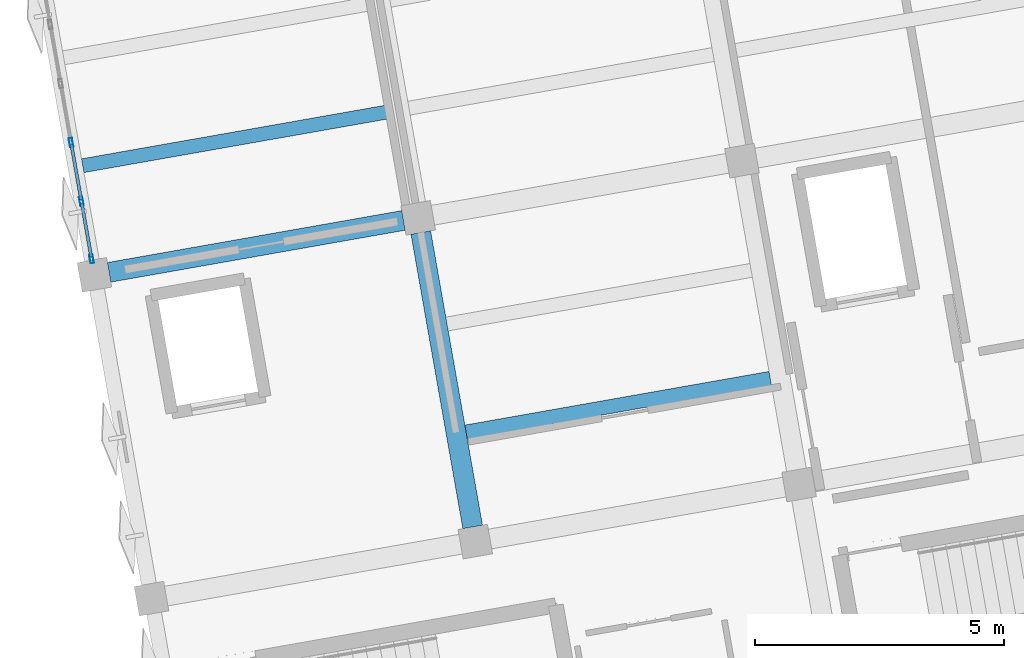
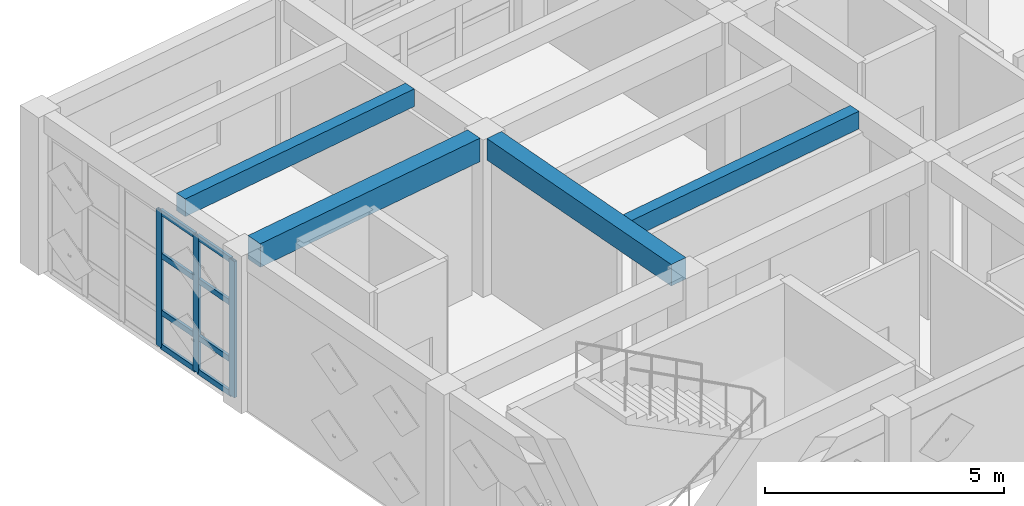
# One storey, part 2 of 18: 11 members, 4 beams, 1 element without a shape of its own.
"""IFC4 building model written with IfcOpenShell, lengths in metres."""

from ifc_helpers import new_model, si_unit, direction, frame, origin, origin_2d, place, context, subcontext, project, spatial, rectangle, hollow_rectangle, extrude, material, layer, layer_set, material_profile, profile_set, type_object, element, aggregate, save


model = new_model("IFC4")

# Units and contexts
model_context = context("Model", 3, precision=1e-05, world=origin(), true_north=direction((0.0, 1.0)))
body_context = subcontext(model_context, "Body", "Model", "MODEL_VIEW")
ifc_project = project(units=[si_unit("LENGTHUNIT", "METRE"), si_unit("AREAUNIT", "SQUARE_METRE"), si_unit("VOLUMEUNIT", "CUBIC_METRE"), si_unit("PLANEANGLEUNIT", "RADIAN"), si_unit("MASSUNIT", "GRAM", prefix="KILO")], contexts=[model_context])

# Site, building, storey
site_placement = place(None, origin())
site = spatial("IfcSite", under=ifc_project, at=site_placement, CompositionType="ELEMENT")
building_placement = place(site_placement, origin())
building = spatial("IfcBuilding", under=site, at=building_placement, Name="Kharisveld Research Institute", CompositionType="ELEMENT")
storey_placement = place(building_placement, frame((0.0, 0.0, 36.60009765625)))
storey = spatial("IfcBuildingStorey", under=building, at=storey_placement, Name="L08", CompositionType="ELEMENT", Elevation=36.60009765625)

# Beams
ifc_material_1 = material(Name="Concrete C40/50", Category="concrete")
ifc_material_profile_1 = material_profile(ifc_material_1, rectangle(XDim=0.39990234375, YDim=0.550048828125, at=origin_2d()))
ifc_profile_set_1 = profile_set([ifc_material_profile_1], Name="Concrete C40/50")
beam_type_1 = type_object("IfcBeamType", Name="BM_RC_400x550", PredefinedType="BEAM", material=ifc_profile_set_1)
beam_1_placement = place(storey_placement, frame((10.50146484375, 42.951171875, 3.744873046875), z_axis=(-0.173622845926, 0.984812219346, 0.0), x_axis=(-0.984812219346, -0.173622845926, 0.0)))
element("IfcBeam", 1, at=beam_1_placement, inside=storey, type_object=beam_type_1, Name="BM:V1:L08:V1_1", PredefinedType="BEAM", context=body_context, shape_type="SweptSolid", body=[
    extrude(rectangle(XDim=0.39990234375, YDim=0.550048828125, at=origin_2d()), origin(), (0.0, 0.0, 1.0), 6.0),
])
ifc_material_2 = material(Name="Concrete C40/50", Category="concrete")
ifc_material_profile_2 = material_profile(ifc_material_2, rectangle(XDim=0.39990234375, YDim=0.60009765625, at=origin_2d()))
ifc_profile_set_2 = profile_set([ifc_material_profile_2], Name="Concrete C40/50")
beam_type_2 = type_object("IfcBeamType", Name="BM_RC_400x600", PredefinedType="BEAM", material=ifc_profile_set_2)
beam_2_placement = place(storey_placement, frame((3.203369140625, 48.0615234375, 3.719970703125), z_axis=(0.984804034035, 0.173669267716, 0.0), x_axis=(-0.173669267716, 0.984804034035, 0.0)))
element("IfcBeam", 2, at=beam_2_placement, inside=storey, type_object=beam_type_2, Name="BM:V1:L08:U0_2", PredefinedType="BEAM", context=body_context, shape_type="SweptSolid", body=[
    extrude(rectangle(XDim=0.39990234375, YDim=0.60009765625, at=origin_2d()), origin(), (0.0, 0.0, 1.0), 5.999755859375),
])

# Curtain wall, members
ifc_material_3 = material(Name="Thermally Broken Aluminium Curtain Wall", Category="aluminium")
ifc_layer = layer(ifc_material_3, 0.159912109375)
ifc_layer_set = layer_set([ifc_layer], Name="CW_SYS_01")
curtain_wall_type = type_object("IfcCurtainWallType", Name="CW_SYS_01", PredefinedType="NOTDEFINED", material=ifc_layer_set)
curtain_wall_placement = place(storey_placement, origin())
curtain_wall = element("IfcCurtainWall", 3, at=curtain_wall_placement, inside=storey, type_object=curtain_wall_type, Name="CW:V1:L08:W2", PredefinedType="NOTDEFINED")
ifc_material_4 = material(Name="Anodised Aluminium AW-6063-T6", Category="aluminium")
ifc_material_profile_3 = material_profile(ifc_material_4, hollow_rectangle(XDim=0.070068359375, YDim=0.179931640625, WallThickness=0.00439453125, at=origin_2d()))
ifc_profile_set_3 = profile_set([ifc_material_profile_3], Name="Anodised Aluminium AW-6063-T6")
member_type_1 = type_object("IfcMemberType", Name="CW_MUL_180", PredefinedType="MULLION", material=ifc_profile_set_3)
member_1_placement = place(storey_placement, frame((2.8505859375, 48.33447265625, 0.0), z_axis=(0.0, 0.0, 1.0), x_axis=(-0.98480774719, -0.173648210685, 0.0)))
member_1 = element("IfcMember", 4, at=member_1_placement, type_object=member_type_1, Name="CW-01 mullion 1", PredefinedType="MULLION", context=body_context, shape_type="SweptSolid", body=[
    extrude(hollow_rectangle(XDim=0.070068359375, YDim=0.179931640625, WallThickness=0.00439453125, at=origin_2d()), origin(), (0.0, 0.0, 1.0), 3.47998046875),
])
member_2_placement = place(storey_placement, frame((2.64794921875, 49.483642578125, 0.0), z_axis=(0.0, 0.0, 1.0), x_axis=(-0.98480774719, -0.173648210685, 0.0)))
member_2 = element("IfcMember", 5, at=member_2_placement, type_object=member_type_1, Name="CW-01 mullion 2", PredefinedType="MULLION", context=body_context, shape_type="SweptSolid", body=[
    extrude(hollow_rectangle(XDim=0.070068359375, YDim=0.179931640625, WallThickness=0.00439453125, at=origin_2d()), origin(), (0.0, 0.0, 1.0), 3.47998046875),
])
member_3_placement = place(storey_placement, frame((2.439208984375, 50.66748046875, 0.0), z_axis=(0.0, 0.0, 1.0), x_axis=(-0.98480774719, -0.173648210685, 0.0)))
member_3 = element("IfcMember", 6, at=member_3_placement, type_object=member_type_1, Name="CW-01 mullion 3", PredefinedType="MULLION", context=body_context, shape_type="SweptSolid", body=[
    extrude(hollow_rectangle(XDim=0.070068359375, YDim=0.179931640625, WallThickness=0.00439453125, at=origin_2d()), origin(), (0.0, 0.0, 1.0), 3.47998046875),
])
ifc_material_5 = material(Name="Anodised Aluminium AW-6063-T6", Category="aluminium")
ifc_material_profile_4 = material_profile(ifc_material_5, hollow_rectangle(XDim=0.06494140625, YDim=0.139892578125, WallThickness=0.00390625, at=origin_2d()))
ifc_profile_set_4 = profile_set([ifc_material_profile_4], Name="Anodised Aluminium AW-6063-T6")
member_type_2 = type_object("IfcMemberType", Name="CW_TRN_140", PredefinedType="USERDEFINED", material=ifc_profile_set_4)
member_4_placement = place(storey_placement, frame((2.844482421875, 48.368896484375, 0.032470703125), z_axis=(-0.17359488712, 0.984817148087, 0.0), x_axis=(-0.984817148087, -0.17359488712, 0.0)))
member_4 = element("IfcMember", 7, at=member_4_placement, type_object=member_type_2, Name="CW-01 transom 1.1", ObjectType="TRANSOM", PredefinedType="USERDEFINED", context=body_context, shape_type="SweptSolid", body=[
    extrude(hollow_rectangle(XDim=0.06494140625, YDim=0.139892578125, WallThickness=0.00390625, at=origin_2d()), origin(), (0.0, 0.0, 1.0), 1.096923828125),
])
member_5_placement = place(storey_placement, frame((2.844482421875, 48.368896484375, 0.89990234375), z_axis=(-0.17359488712, 0.984817148087, 0.0), x_axis=(-0.984817148087, -0.17359488712, 0.0)))
member_5 = element("IfcMember", 8, at=member_5_placement, type_object=member_type_2, Name="CW-01 transom 1.2", ObjectType="TRANSOM", PredefinedType="USERDEFINED", context=body_context, shape_type="SweptSolid", body=[
    extrude(hollow_rectangle(XDim=0.06494140625, YDim=0.139892578125, WallThickness=0.00390625, at=origin_2d()), origin(), (0.0, 0.0, 1.0), 1.096923828125),
])
member_6_placement = place(storey_placement, frame((2.844482421875, 48.368896484375, 2.349853515625), z_axis=(-0.17359488712, 0.984817148087, 0.0), x_axis=(-0.984817148087, -0.17359488712, 0.0)))
member_6 = element("IfcMember", 9, at=member_6_placement, type_object=member_type_2, Name="CW-01 transom 1.3", ObjectType="TRANSOM", PredefinedType="USERDEFINED", context=body_context, shape_type="SweptSolid", body=[
    extrude(hollow_rectangle(XDim=0.06494140625, YDim=0.139892578125, WallThickness=0.00390625, at=origin_2d()), origin(), (0.0, 0.0, 1.0), 1.096923828125),
])
member_7_placement = place(storey_placement, frame((2.844482421875, 48.368896484375, 3.447509765625), z_axis=(-0.17359488712, 0.984817148087, 0.0), x_axis=(-0.984817148087, -0.17359488712, 0.0)))
member_7 = element("IfcMember", 10, at=member_7_placement, type_object=member_type_2, Name="CW-01 transom 1.4", ObjectType="TRANSOM", PredefinedType="USERDEFINED", context=body_context, shape_type="SweptSolid", body=[
    extrude(hollow_rectangle(XDim=0.06494140625, YDim=0.139892578125, WallThickness=0.00390625, at=origin_2d()), origin(), (0.0, 0.0, 1.0), 1.096923828125),
])
member_8_placement = place(storey_placement, frame((2.641845703125, 49.51806640625, 0.032470703125), z_axis=(-0.173588506586, 0.98481827277, 0.0), x_axis=(-0.98481827277, -0.173588506586, 0.0)))
member_8 = element("IfcMember", 11, at=member_8_placement, type_object=member_type_2, Name="CW-01 transom 2.1", ObjectType="TRANSOM", PredefinedType="USERDEFINED", context=body_context, shape_type="SweptSolid", body=[
    extrude(hollow_rectangle(XDim=0.06494140625, YDim=0.139892578125, WallThickness=0.00390625, at=origin_2d()), origin(), (0.0, 0.0, 1.0), 1.132080078125),
])
member_9_placement = place(storey_placement, frame((2.641845703125, 49.51806640625, 0.89990234375), z_axis=(-0.173588506586, 0.98481827277, 0.0), x_axis=(-0.98481827277, -0.173588506586, 0.0)))
member_9 = element("IfcMember", 12, at=member_9_placement, type_object=member_type_2, Name="CW-01 transom 2.2", ObjectType="TRANSOM", PredefinedType="USERDEFINED", context=body_context, shape_type="SweptSolid", body=[
    extrude(hollow_rectangle(XDim=0.06494140625, YDim=0.139892578125, WallThickness=0.00390625, at=origin_2d()), origin(), (0.0, 0.0, 1.0), 1.132080078125),
])
member_10_placement = place(storey_placement, frame((2.641845703125, 49.51806640625, 2.349853515625), z_axis=(-0.173588506586, 0.98481827277, 0.0), x_axis=(-0.98481827277, -0.173588506586, 0.0)))
member_10 = element("IfcMember", 13, at=member_10_placement, type_object=member_type_2, Name="CW-01 transom 2.3", ObjectType="TRANSOM", PredefinedType="USERDEFINED", context=body_context, shape_type="SweptSolid", body=[
    extrude(hollow_rectangle(XDim=0.06494140625, YDim=0.139892578125, WallThickness=0.00390625, at=origin_2d()), origin(), (0.0, 0.0, 1.0), 1.132080078125),
])
member_11_placement = place(storey_placement, frame((2.641845703125, 49.51806640625, 3.447509765625), z_axis=(-0.173588506586, 0.98481827277, 0.0), x_axis=(-0.98481827277, -0.173588506586, 0.0)))
member_11 = element("IfcMember", 14, at=member_11_placement, type_object=member_type_2, Name="CW-01 transom 2.4", ObjectType="TRANSOM", PredefinedType="USERDEFINED", context=body_context, shape_type="SweptSolid", body=[
    extrude(hollow_rectangle(XDim=0.06494140625, YDim=0.139892578125, WallThickness=0.00390625, at=origin_2d()), origin(), (0.0, 0.0, 1.0), 1.132080078125),
])
aggregate(curtain_wall, [member_1, member_2, member_3, member_4, member_5, member_6, member_7, member_8, member_9, member_10, member_11])

# Beams
ifc_material_6 = material(Name="Concrete C40/50", Category="concrete")
ifc_material_profile_5 = material_profile(ifc_material_6, rectangle(XDim=0.280029296875, YDim=0.449951171875, at=origin_2d()))
ifc_profile_set_5 = profile_set([ifc_material_profile_5], Name="Concrete C40/50")
beam_type_3 = type_object("IfcBeamType", Name="WB_RC_280x450", PredefinedType="JOIST", material=ifc_profile_set_5)
beam_3_placement = place(storey_placement, frame((2.673583984375, 50.2021484375, 3.794921875), z_axis=(0.984810288083, 0.17363379995, 0.0), x_axis=(-0.17363379995, 0.984810288083, 0.0)))
element("IfcBeam", 15, at=beam_3_placement, inside=storey, type_object=beam_type_3, Name="BM:V1:L08:J_0_2_R1", PredefinedType="JOIST", context=body_context, shape_type="SweptSolid", body=[
    extrude(rectangle(XDim=0.280029296875, YDim=0.449951171875, at=origin_2d()), origin(), (0.0, 0.0, 1.0), 6.25),
])
beam_4_placement = place(storey_placement, frame((10.36865234375, 44.857177734375, 3.794921875), z_axis=(0.984806146634, 0.173657287643, 0.0), x_axis=(-0.173657287643, 0.984806146634, 0.0)))
element("IfcBeam", 16, at=beam_4_placement, inside=storey, type_object=beam_type_3, Name="BM:V1:L08:J_1_1_R1", PredefinedType="JOIST", context=body_context, shape_type="SweptSolid", body=[
    extrude(rectangle(XDim=0.280029296875, YDim=0.449951171875, at=origin_2d()), origin(), (0.0, 0.0, 1.0), 6.199951171875),
])

save(model, "model.ifc")
